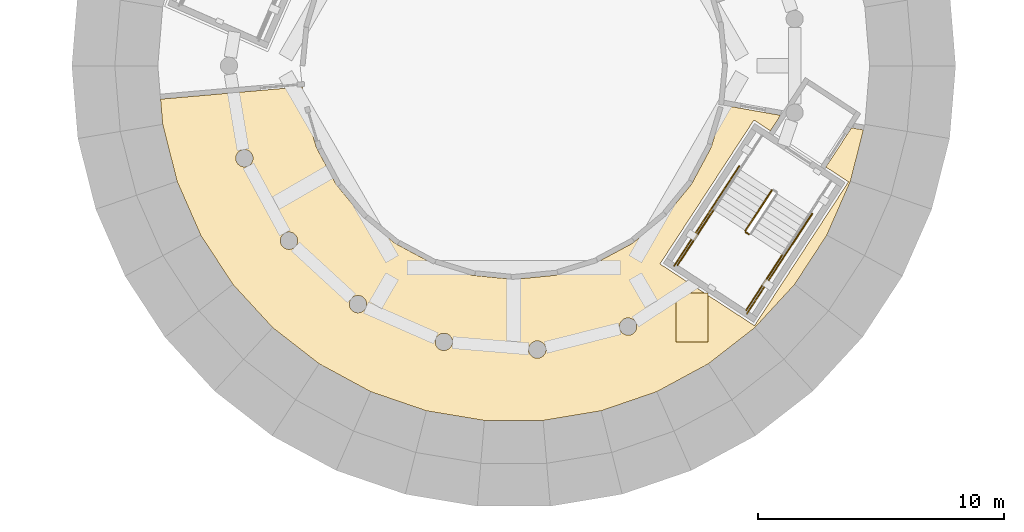
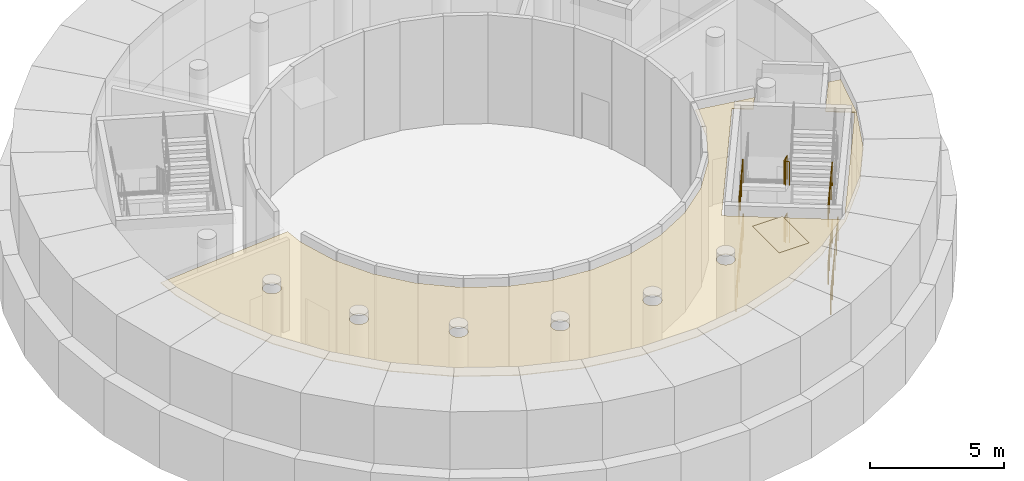
# One storey, part 118 of 125: 10 railings, 2 coverings.
"""IFC4 building model written with IfcOpenShell, lengths in metres."""

from ifc_helpers import new_model, si_unit, direction, frame, origin, origin_2d, place, context, subcontext, project, spatial, polyline, circle, outline, extrude, material, layer, layer_set, type_object, element, save


model = new_model("IFC4")

# Units and contexts
model_context = context("Model", 3, precision=1e-05, world=origin(), true_north=direction((0.0, 1.0)))
body_context = subcontext(model_context, "Body", "Model", "MODEL_VIEW")
ifc_project = project(units=[si_unit("LENGTHUNIT", "METRE"), si_unit("AREAUNIT", "SQUARE_METRE"), si_unit("VOLUMEUNIT", "CUBIC_METRE"), si_unit("PLANEANGLEUNIT", "RADIAN"), si_unit("MASSUNIT", "GRAM", prefix="KILO")], contexts=[model_context])

# Site, building, storey
site_placement = place(None, origin())
site = spatial("IfcSite", under=ifc_project, at=site_placement, CompositionType="ELEMENT")
building_placement = place(site_placement, origin())
building = spatial("IfcBuilding", under=site, at=building_placement, Name="Sun Court Science Centre", CompositionType="ELEMENT")
storey_placement = place(building_placement, frame((0.0, 0.0, 6.0)))
storey = spatial("IfcBuildingStorey", under=building, at=storey_placement, Name="L01", CompositionType="ELEMENT", Elevation=6.0)

# Coverings
ifc_material_1 = material(Name="Perforated steel", Category="steel")
ifc_layer_1 = layer(ifc_material_1, 0.030029296875)
ifc_layer_set_1 = layer_set([ifc_layer_1], Name="Perforated steel")
covering_type_1 = type_object("IfcCoveringType", Name="Ceiling acoustic perforated", PredefinedType="CEILING", material=ifc_layer_set_1)
covering_1_placement = place(storey_placement, frame((0.0, 0.0, 4.52001953125)))
element("IfcCovering", 1, at=covering_1_placement, inside=storey, type_object=covering_type_1, Name="L01-073 ceiling", PredefinedType="CEILING", context=body_context, shape_type="SweptSolid", body=[
    extrude(outline(polyline([(54.55908203125, 82.745361328125), (52.197265625, 82.351318359375), (49.802734375, 82.351318359375), (47.44091796875, 82.745361328125), (45.176025390625, 83.52294921875), (43.0703125, 84.66259765625), (41.1806640625, 86.13330078125), (39.558837890625, 87.89501953125), (38.2490234375, 89.899658203125), (37.287353515625, 92.09228515625), (36.699462890625, 94.413818359375), (36.6142578125, 95.44091796875), (42.383544921875, 95.94580078125), (42.466796875, 95.1025390625), (42.9619140625, 93.470458984375), (43.765869140625, 91.96630859375), (44.847900390625, 90.647705078125), (46.166259765625, 89.56591796875), (47.67041015625, 88.76171875), (49.302490234375, 88.2666015625), (51.0, 88.099609375), (52.697509765625, 88.2666015625), (54.32958984375, 88.76171875), (55.833740234375, 89.56591796875), (57.152099609375, 90.647705078125), (58.234130859375, 91.96630859375), (59.0380859375, 93.470458984375), (59.533203125, 95.1025390625), (59.5419921875, 95.192138671875), (61.865966796875, 94.782470703125), (61.453369140625, 94.151123046875), (60.78369140625, 94.5888671875), (56.955078125, 88.728515625), (58.757080078125, 87.55126953125), (57.606201171875, 87.55126953125), (57.606201171875, 85.55126953125), (58.906005859375, 85.55126953125), (58.906005859375, 87.453857421875), (60.805908203125, 86.212646484375), (64.634521484375, 92.07275390625), (63.7138671875, 92.674560546875), (64.7578125, 94.272705078125), (65.2431640625, 94.18701171875), (64.712646484375, 92.09228515625), (63.7509765625, 89.899658203125), (62.441162109375, 87.89501953125), (60.8193359375, 86.13330078125), (58.9296875, 84.66259765625), (56.823974609375, 83.52294921875), (54.55908203125, 82.745361328125)]), holes=[polyline([(56.009765625, 86.177001953125), (56.0087890625, 86.199951171875), (56.006591796875, 86.22265625), (56.0029296875, 86.245361328125), (55.997802734375, 86.267578125), (55.9912109375, 86.28955078125), (55.98291015625, 86.31103515625), (55.9736328125, 86.331787109375), (55.962890625, 86.35205078125), (55.95068359375, 86.37158203125), (55.937255859375, 86.39013671875), (55.9228515625, 86.40771484375), (55.9072265625, 86.424560546875), (55.890380859375, 86.440185546875), (55.872802734375, 86.45458984375), (55.85400390625, 86.468017578125), (55.834716796875, 86.47998046875), (55.814453125, 86.490966796875), (55.793701171875, 86.50048828125), (55.772216796875, 86.508544921875), (55.750244140625, 86.51513671875), (55.727783203125, 86.520263671875), (55.705322265625, 86.52392578125), (55.6826171875, 86.5263671875), (55.65966796875, 86.527099609375), (55.63671875, 86.5263671875), (55.614013671875, 86.52392578125), (55.59130859375, 86.520263671875), (55.569091796875, 86.51513671875), (55.547119140625, 86.508544921875), (55.525634765625, 86.50048828125), (55.5048828125, 86.490966796875), (55.484619140625, 86.47998046875), (55.465087890625, 86.468017578125), (55.446533203125, 86.45458984375), (55.428955078125, 86.440185546875), (55.412109375, 86.424560546875), (55.396484375, 86.40771484375), (55.382080078125, 86.39013671875), (55.36865234375, 86.37158203125), (55.356689453125, 86.35205078125), (55.345703125, 86.331787109375), (55.336181640625, 86.31103515625), (55.328125, 86.28955078125), (55.321533203125, 86.267578125), (55.31640625, 86.245361328125), (55.312744140625, 86.22265625), (55.310302734375, 86.199951171875), (55.309814453125, 86.177001953125), (55.310302734375, 86.154052734375), (55.312744140625, 86.13134765625), (55.31640625, 86.108642578125), (55.321533203125, 86.08642578125), (55.328125, 86.064453125), (55.336181640625, 86.043212890625), (55.345703125, 86.022216796875), (55.356689453125, 86.001953125), (55.36865234375, 85.982666015625), (55.382080078125, 85.964111328125), (55.396484375, 85.9462890625), (55.412109375, 85.929443359375), (55.428955078125, 85.913818359375), (55.446533203125, 85.8994140625), (55.465087890625, 85.885986328125), (55.484619140625, 85.873779296875), (55.5048828125, 85.863037109375), (55.525634765625, 85.853759765625), (55.547119140625, 85.845703125), (55.569091796875, 85.839111328125), (55.59130859375, 85.833740234375), (55.614013671875, 85.830078125), (55.63671875, 85.827880859375), (55.65966796875, 85.826904296875), (55.6826171875, 85.827880859375), (55.705322265625, 85.830078125), (55.727783203125, 85.833740234375), (55.750244140625, 85.839111328125), (55.772216796875, 85.845703125), (55.793701171875, 85.853759765625), (55.814453125, 85.863037109375), (55.834716796875, 85.873779296875), (55.85400390625, 85.885986328125), (55.872802734375, 85.8994140625), (55.890380859375, 85.913818359375), (55.9072265625, 85.929443359375), (55.9228515625, 85.9462890625), (55.937255859375, 85.964111328125), (55.95068359375, 85.982666015625), (55.962890625, 86.001953125), (55.9736328125, 86.022216796875), (55.98291015625, 86.043212890625), (55.9912109375, 86.064453125), (55.997802734375, 86.08642578125), (56.0029296875, 86.108642578125), (56.006591796875, 86.13134765625), (56.0087890625, 86.154052734375), (56.009765625, 86.177001953125)]), polyline([(52.307861328125, 85.239501953125), (52.30712890625, 85.262451171875), (52.304931640625, 85.285400390625), (52.30126953125, 85.307861328125), (52.2958984375, 85.330078125), (52.289306640625, 85.35205078125), (52.28125, 85.37353515625), (52.271728515625, 85.394287109375), (52.260986328125, 85.41455078125), (52.248779296875, 85.43408203125), (52.235595703125, 85.45263671875), (52.22119140625, 85.470458984375), (52.205322265625, 85.487060546875), (52.188720703125, 85.502685546875), (52.1708984375, 85.517333984375), (52.15234375, 85.530517578125), (52.1328125, 85.542724609375), (52.11279296875, 85.553466796875), (52.091796875, 85.56298828125), (52.0703125, 85.571044921875), (52.048583984375, 85.57763671875), (52.026123046875, 85.5830078125), (52.003662109375, 85.586669921875), (51.980712890625, 85.5888671875), (51.9580078125, 85.589599609375), (51.93505859375, 85.5888671875), (51.912109375, 85.586669921875), (51.8896484375, 85.5830078125), (51.8671875, 85.57763671875), (51.845458984375, 85.571044921875), (51.823974609375, 85.56298828125), (51.802978515625, 85.553466796875), (51.782958984375, 85.542724609375), (51.763427734375, 85.530517578125), (51.744873046875, 85.517333984375), (51.72705078125, 85.502685546875), (51.71044921875, 85.487060546875), (51.69482421875, 85.470458984375), (51.68017578125, 85.45263671875), (51.6669921875, 85.43408203125), (51.65478515625, 85.41455078125), (51.64404296875, 85.394287109375), (51.634521484375, 85.37353515625), (51.62646484375, 85.35205078125), (51.619873046875, 85.330078125), (51.614501953125, 85.307861328125), (51.61083984375, 85.285400390625), (51.608642578125, 85.262451171875), (51.60791015625, 85.239501953125), (51.608642578125, 85.216796875), (51.61083984375, 85.19384765625), (51.614501953125, 85.17138671875), (51.619873046875, 85.14892578125), (51.62646484375, 85.127197265625), (51.634521484375, 85.105712890625), (51.64404296875, 85.084716796875), (51.65478515625, 85.064697265625), (51.6669921875, 85.045166015625), (51.68017578125, 85.026611328125), (51.69482421875, 85.0087890625), (51.71044921875, 84.9921875), (51.72705078125, 84.9765625), (51.744873046875, 84.9619140625), (51.763427734375, 84.948486328125), (51.782958984375, 84.9365234375), (51.802978515625, 84.92578125), (51.823974609375, 84.916259765625), (51.845458984375, 84.908203125), (51.8671875, 84.901611328125), (51.8896484375, 84.896240234375), (51.912109375, 84.892578125), (51.93505859375, 84.890380859375), (51.9580078125, 84.8896484375), (51.980712890625, 84.890380859375), (52.003662109375, 84.892578125), (52.026123046875, 84.896240234375), (52.048583984375, 84.901611328125), (52.0703125, 84.908203125), (52.091796875, 84.916259765625), (52.11279296875, 84.92578125), (52.1328125, 84.9365234375), (52.15234375, 84.948486328125), (52.1708984375, 84.9619140625), (52.188720703125, 84.9765625), (52.205322265625, 84.9921875), (52.22119140625, 85.0087890625), (52.235595703125, 85.026611328125), (52.248779296875, 85.045166015625), (52.260986328125, 85.064697265625), (52.271728515625, 85.084716796875), (52.28125, 85.105712890625), (52.289306640625, 85.127197265625), (52.2958984375, 85.14892578125), (52.30126953125, 85.17138671875), (52.304931640625, 85.19384765625), (52.30712890625, 85.216796875), (52.307861328125, 85.239501953125)]), polyline([(48.49951171875, 85.50927734375), (48.501708984375, 85.531982421875), (48.50244140625, 85.554931640625), (48.501708984375, 85.577880859375), (48.49951171875, 85.6005859375), (48.49560546875, 85.623291015625), (48.490478515625, 85.6455078125), (48.48388671875, 85.66748046875), (48.4755859375, 85.68896484375), (48.46630859375, 85.709716796875), (48.45556640625, 85.72998046875), (48.443359375, 85.74951171875), (48.429931640625, 85.76806640625), (48.41552734375, 85.78564453125), (48.39990234375, 85.802490234375), (48.383056640625, 85.818115234375), (48.365478515625, 85.83251953125), (48.3466796875, 85.845947265625), (48.327392578125, 85.858154296875), (48.30712890625, 85.868896484375), (48.286376953125, 85.87841796875), (48.264892578125, 85.886474609375), (48.242919921875, 85.89306640625), (48.220703125, 85.898193359375), (48.197998046875, 85.902099609375), (48.17529296875, 85.904296875), (48.15234375, 85.905029296875), (48.12939453125, 85.904296875), (48.106689453125, 85.902099609375), (48.083984375, 85.898193359375), (48.061767578125, 85.89306640625), (48.039794921875, 85.886474609375), (48.018310546875, 85.87841796875), (47.99755859375, 85.868896484375), (47.977294921875, 85.858154296875), (47.9580078125, 85.845947265625), (47.939208984375, 85.83251953125), (47.921630859375, 85.818115234375), (47.90478515625, 85.802490234375), (47.88916015625, 85.78564453125), (47.874755859375, 85.76806640625), (47.861328125, 85.74951171875), (47.849365234375, 85.72998046875), (47.83837890625, 85.709716796875), (47.8291015625, 85.68896484375), (47.82080078125, 85.66748046875), (47.814208984375, 85.6455078125), (47.80908203125, 85.623291015625), (47.805419921875, 85.6005859375), (47.802978515625, 85.577880859375), (47.802490234375, 85.554931640625), (47.802978515625, 85.531982421875), (47.805419921875, 85.50927734375), (47.80908203125, 85.48681640625), (47.814208984375, 85.46435546875), (47.82080078125, 85.4423828125), (47.8291015625, 85.4208984375), (47.83837890625, 85.400146484375), (47.849365234375, 85.3798828125), (47.861328125, 85.360595703125), (47.874755859375, 85.341796875), (47.88916015625, 85.32421875), (47.90478515625, 85.3076171875), (47.921630859375, 85.291748046875), (47.939208984375, 85.27734375), (47.9580078125, 85.263916015625), (47.977294921875, 85.251708984375), (47.99755859375, 85.2412109375), (48.018310546875, 85.231689453125), (48.039794921875, 85.223388671875), (48.061767578125, 85.216796875), (48.083984375, 85.211669921875), (48.106689453125, 85.2080078125), (48.12939453125, 85.205810546875), (48.15234375, 85.205078125), (48.17529296875, 85.205810546875), (48.197998046875, 85.2080078125), (48.220703125, 85.211669921875), (48.242919921875, 85.216796875), (48.264892578125, 85.223388671875), (48.286376953125, 85.231689453125), (48.30712890625, 85.2412109375), (48.327392578125, 85.251708984375), (48.3466796875, 85.263916015625), (48.365478515625, 85.27734375), (48.383056640625, 85.291748046875), (48.39990234375, 85.3076171875), (48.41552734375, 85.32421875), (48.429931640625, 85.341796875), (48.443359375, 85.360595703125), (48.45556640625, 85.3798828125), (48.46630859375, 85.400146484375), (48.4755859375, 85.4208984375), (48.48388671875, 85.4423828125), (48.490478515625, 85.46435546875), (48.49560546875, 85.48681640625), (48.49951171875, 85.50927734375)]), polyline([(45.00244140625, 87.043212890625), (45.004638671875, 87.06591796875), (45.00537109375, 87.0888671875), (45.004638671875, 87.11181640625), (45.00244140625, 87.134521484375), (44.998779296875, 87.1572265625), (44.993408203125, 87.179443359375), (44.98681640625, 87.201416015625), (44.978759765625, 87.222900390625), (44.96923828125, 87.24365234375), (44.95849609375, 87.263916015625), (44.9462890625, 87.283203125), (44.93310546875, 87.302001953125), (44.91845703125, 87.319580078125), (44.90283203125, 87.33642578125), (44.88623046875, 87.35205078125), (44.868408203125, 87.366455078125), (44.849853515625, 87.3798828125), (44.830322265625, 87.39208984375), (44.810302734375, 87.40283203125), (44.789306640625, 87.412109375), (44.767822265625, 87.42041015625), (44.74609375, 87.427001953125), (44.7236328125, 87.43212890625), (44.701171875, 87.435791015625), (44.67822265625, 87.43798828125), (44.655517578125, 87.43896484375), (44.632568359375, 87.43798828125), (44.609619140625, 87.435791015625), (44.587158203125, 87.43212890625), (44.564697265625, 87.427001953125), (44.54296875, 87.42041015625), (44.521484375, 87.412109375), (44.50048828125, 87.40283203125), (44.48046875, 87.39208984375), (44.4609375, 87.3798828125), (44.4423828125, 87.366455078125), (44.424560546875, 87.35205078125), (44.407958984375, 87.33642578125), (44.392333984375, 87.319580078125), (44.377685546875, 87.302001953125), (44.364501953125, 87.283203125), (44.352294921875, 87.263916015625), (44.341552734375, 87.24365234375), (44.33203125, 87.222900390625), (44.323974609375, 87.201416015625), (44.3173828125, 87.179443359375), (44.31201171875, 87.1572265625), (44.308349609375, 87.134521484375), (44.30615234375, 87.11181640625), (44.305419921875, 87.0888671875), (44.30615234375, 87.06591796875), (44.308349609375, 87.043212890625), (44.31201171875, 87.0205078125), (44.3173828125, 86.998291015625), (44.323974609375, 86.976318359375), (44.33203125, 86.954833984375), (44.341552734375, 86.93408203125), (44.352294921875, 86.913818359375), (44.364501953125, 86.894287109375), (44.377685546875, 86.875732421875), (44.392333984375, 86.858154296875), (44.407958984375, 86.84130859375), (44.424560546875, 86.82568359375), (44.4423828125, 86.811279296875), (44.4609375, 86.7978515625), (44.48046875, 86.785888671875), (44.50048828125, 86.77490234375), (44.521484375, 86.765380859375), (44.54296875, 86.75732421875), (44.564697265625, 86.750732421875), (44.587158203125, 86.74560546875), (44.609619140625, 86.741943359375), (44.632568359375, 86.739501953125), (44.655517578125, 86.739013671875), (44.67822265625, 86.739501953125), (44.701171875, 86.741943359375), (44.7236328125, 86.74560546875), (44.74609375, 86.750732421875), (44.767822265625, 86.75732421875), (44.789306640625, 86.765380859375), (44.810302734375, 86.77490234375), (44.830322265625, 86.785888671875), (44.849853515625, 86.7978515625), (44.868408203125, 86.811279296875), (44.88623046875, 86.82568359375), (44.90283203125, 86.84130859375), (44.91845703125, 86.858154296875), (44.93310546875, 86.875732421875), (44.9462890625, 86.894287109375), (44.95849609375, 86.913818359375), (44.96923828125, 86.93408203125), (44.978759765625, 86.954833984375), (44.98681640625, 86.976318359375), (44.993408203125, 86.998291015625), (44.998779296875, 87.0205078125), (45.00244140625, 87.043212890625)]), polyline([(42.189208984375, 89.60693359375), (42.193115234375, 89.62939453125), (42.1953125, 89.652099609375), (42.196044921875, 89.675048828125), (42.1953125, 89.697998046875), (42.193115234375, 89.720703125), (42.189208984375, 89.743408203125), (42.18408203125, 89.765625), (42.177490234375, 89.78759765625), (42.169189453125, 89.80908203125), (42.159912109375, 89.829833984375), (42.149169921875, 89.85009765625), (42.136962890625, 89.86962890625), (42.12353515625, 89.88818359375), (42.109130859375, 89.906005859375), (42.093505859375, 89.922607421875), (42.07666015625, 89.938232421875), (42.05908203125, 89.952880859375), (42.040283203125, 89.966064453125), (42.02099609375, 89.978271484375), (42.000732421875, 89.989013671875), (41.97998046875, 89.99853515625), (41.95849609375, 90.006591796875), (41.9365234375, 90.01318359375), (41.914306640625, 90.018310546875), (41.8916015625, 90.022216796875), (41.868896484375, 90.0244140625), (41.845947265625, 90.025146484375), (41.822998046875, 90.0244140625), (41.80029296875, 90.022216796875), (41.777587890625, 90.018310546875), (41.75537109375, 90.01318359375), (41.7333984375, 90.006591796875), (41.7119140625, 89.99853515625), (41.691162109375, 89.989013671875), (41.6708984375, 89.978271484375), (41.651611328125, 89.966064453125), (41.6328125, 89.952880859375), (41.615234375, 89.938232421875), (41.598388671875, 89.922607421875), (41.582763671875, 89.906005859375), (41.568359375, 89.88818359375), (41.554931640625, 89.86962890625), (41.54296875, 89.85009765625), (41.531982421875, 89.829833984375), (41.522705078125, 89.80908203125), (41.514404296875, 89.78759765625), (41.5078125, 89.765625), (41.502685546875, 89.743408203125), (41.4990234375, 89.720703125), (41.49658203125, 89.697998046875), (41.49609375, 89.675048828125), (41.49658203125, 89.652099609375), (41.4990234375, 89.62939453125), (41.502685546875, 89.60693359375), (41.5078125, 89.58447265625), (41.514404296875, 89.5625), (41.522705078125, 89.541259765625), (41.531982421875, 89.520263671875), (41.54296875, 89.5), (41.554931640625, 89.480712890625), (41.568359375, 89.462158203125), (41.582763671875, 89.4443359375), (41.598388671875, 89.427490234375), (41.615234375, 89.412109375), (41.6328125, 89.3974609375), (41.651611328125, 89.384033203125), (41.6708984375, 89.3720703125), (41.691162109375, 89.361083984375), (41.7119140625, 89.351806640625), (41.7333984375, 89.34375), (41.75537109375, 89.337158203125), (41.777587890625, 89.331787109375), (41.80029296875, 89.328125), (41.822998046875, 89.325927734375), (41.845947265625, 89.3251953125), (41.868896484375, 89.325927734375), (41.8916015625, 89.328125), (41.914306640625, 89.331787109375), (41.9365234375, 89.337158203125), (41.95849609375, 89.34375), (41.97998046875, 89.351806640625), (42.000732421875, 89.361083984375), (42.02099609375, 89.3720703125), (42.040283203125, 89.384033203125), (42.05908203125, 89.3974609375), (42.07666015625, 89.412109375), (42.093505859375, 89.427490234375), (42.109130859375, 89.4443359375), (42.12353515625, 89.462158203125), (42.136962890625, 89.480712890625), (42.149169921875, 89.5), (42.159912109375, 89.520263671875), (42.169189453125, 89.541259765625), (42.177490234375, 89.5625), (42.18408203125, 89.58447265625), (42.189208984375, 89.60693359375)]), polyline([(40.36669921875, 92.94287109375), (40.371826171875, 92.965087890625), (40.37548828125, 92.98779296875), (40.377685546875, 93.010498046875), (40.37841796875, 93.033447265625), (40.377685546875, 93.056396484375), (40.37548828125, 93.0791015625), (40.371826171875, 93.101806640625), (40.36669921875, 93.1240234375), (40.35986328125, 93.14599609375), (40.351806640625, 93.16748046875), (40.34228515625, 93.188232421875), (40.33154296875, 93.20849609375), (40.319580078125, 93.227783203125), (40.30615234375, 93.24658203125), (40.291748046875, 93.264404296875), (40.27587890625, 93.281005859375), (40.25927734375, 93.296630859375), (40.24169921875, 93.311279296875), (40.222900390625, 93.324462890625), (40.20361328125, 93.336669921875), (40.183349609375, 93.347412109375), (40.16259765625, 93.356689453125), (40.14111328125, 93.364990234375), (40.119140625, 93.37158203125), (40.0966796875, 93.376708984375), (40.07421875, 93.380615234375), (40.051513671875, 93.3828125), (40.028564453125, 93.383544921875), (40.005615234375, 93.3828125), (39.98291015625, 93.380615234375), (39.960205078125, 93.376708984375), (39.93798828125, 93.37158203125), (39.916015625, 93.364990234375), (39.89453125, 93.356689453125), (39.873779296875, 93.347412109375), (39.853515625, 93.336669921875), (39.833984375, 93.324462890625), (39.8154296875, 93.311279296875), (39.797607421875, 93.296630859375), (39.781005859375, 93.281005859375), (39.765380859375, 93.264404296875), (39.750732421875, 93.24658203125), (39.737548828125, 93.227783203125), (39.725341796875, 93.20849609375), (39.714599609375, 93.188232421875), (39.705078125, 93.16748046875), (39.697021484375, 93.14599609375), (39.6904296875, 93.1240234375), (39.685302734375, 93.101806640625), (39.681396484375, 93.0791015625), (39.67919921875, 93.056396484375), (39.678466796875, 93.033447265625), (39.67919921875, 93.010498046875), (39.681396484375, 92.98779296875), (39.685302734375, 92.965087890625), (39.6904296875, 92.94287109375), (39.697021484375, 92.9208984375), (39.705078125, 92.8994140625), (39.714599609375, 92.878662109375), (39.725341796875, 92.8583984375), (39.737548828125, 92.839111328125), (39.750732421875, 92.8203125), (39.765380859375, 92.802734375), (39.781005859375, 92.785888671875), (39.797607421875, 92.770263671875), (39.8154296875, 92.755859375), (39.833984375, 92.742431640625), (39.853515625, 92.73046875), (39.873779296875, 92.719482421875), (39.89453125, 92.710205078125), (39.916015625, 92.7021484375), (39.93798828125, 92.6953125), (39.960205078125, 92.690185546875), (39.98291015625, 92.6865234375), (40.005615234375, 92.68408203125), (40.028564453125, 92.68359375), (40.051513671875, 92.68408203125), (40.07421875, 92.6865234375), (40.0966796875, 92.690185546875), (40.119140625, 92.6953125), (40.14111328125, 92.7021484375), (40.16259765625, 92.710205078125), (40.183349609375, 92.719482421875), (40.20361328125, 92.73046875), (40.222900390625, 92.742431640625), (40.24169921875, 92.755859375), (40.25927734375, 92.770263671875), (40.27587890625, 92.785888671875), (40.291748046875, 92.802734375), (40.30615234375, 92.8203125), (40.319580078125, 92.839111328125), (40.33154296875, 92.8583984375), (40.34228515625, 92.878662109375), (40.351806640625, 92.8994140625), (40.35986328125, 92.9208984375), (40.36669921875, 92.94287109375)])]), origin(), (0.0, 0.0, 1.0), 0.030029296875),
])
ifc_material_2 = material(Name="Gypsum board")
ifc_layer_2 = layer(ifc_material_2, 0.030029296875)
ifc_layer_set_2 = layer_set([ifc_layer_2], Name="Gypsum board")
covering_type_2 = type_object("IfcCoveringType", Name="Ceiling suspended 600 module", PredefinedType="CEILING", material=ifc_layer_set_2)
covering_2_placement = place(storey_placement, frame((0.0, 0.0, 4.52001953125)))
element("IfcCovering", 2, at=covering_2_placement, inside=storey, type_object=covering_type_2, Name="L01-080 ceiling", PredefinedType="CEILING", context=body_context, shape_type="SweptSolid", body=[
    extrude(outline(polyline([(58.906005859375, 87.55126953125), (58.906005859375, 85.55126953125), (57.606201171875, 85.55126953125), (57.606201171875, 87.55126953125), (58.906005859375, 87.55126953125)])), origin(), (0.0, 0.0, 1.0), 0.030029296875),
])

# Railings
ifc_material_3 = material(Name="Steel S275", Category="steel")
railing_type = type_object("IfcRailingType", Name="Guard 1100 steel balustrade", PredefinedType="GUARDRAIL", material=ifc_material_3)
railing_1_placement = place(storey_placement, frame((61.51171875, 91.7265625, 0.1640625)))
element("IfcRailing", 3, at=railing_1_placement, inside=storey, type_object=railing_type, Name="L01 PS1 stair guard 1", PredefinedType="GUARDRAIL", context=body_context, shape_type="SweptSolid", body=[
    extrude(circle(Radius=0.02392578125, at=origin_2d()), frame((0.0, 0.0, 1.076171875), z_axis=(-0.471904152207, -0.72231104691, 0.505542503298), x_axis=(0.837169241842, -0.546943928125, 0.0)), (0.0, 0.0, 1.0), 2.271728515625),
    extrude(circle(Radius=0.02099609375, at=origin_2d()), origin(), (0.0, 0.0, 1.0), 1.052001953125),
    extrude(circle(Radius=0.02099609375, at=origin_2d()), frame((-0.5361328125, -0.8203125, 0.57421875)), (0.0, 0.0, 1.0), 1.052001953125),
    extrude(circle(Radius=0.02099609375, at=origin_2d()), frame((-1.072021484375, -1.640869140625, 1.1484375)), (0.0, 0.0, 1.0), 1.052001953125),
])
railing_2_placement = place(storey_placement, frame((60.4541015625, 90.016357421875, 1.3125)))
element("IfcRailing", 4, at=railing_2_placement, inside=storey, type_object=railing_type, Name="L01 PS1 stair guard 2", PredefinedType="GUARDRAIL", context=body_context, shape_type="SweptSolid", body=[
    extrude(circle(Radius=0.02392578125, at=origin_2d()), frame((0.0, 0.0, 1.076171875), z_axis=(0.837513526863, -0.546416592283, 0.0), x_axis=(0.546416592283, 0.837513526863, 0.0)), (0.0, 0.0, 1.0), 0.150146484375),
    extrude(circle(Radius=0.02099609375, at=origin_2d()), origin(), (0.0, 0.0, 1.0), 1.052001953125),
    extrude(circle(Radius=0.02099609375, at=origin_2d()), frame((0.125732421875, -0.08203125, 0.0)), (0.0, 0.0, 1.0), 1.052001953125),
])
railing_3_placement = place(storey_placement, frame((59.143798828125, 90.932373046875, 1.3125)))
element("IfcRailing", 5, at=railing_3_placement, inside=storey, type_object=railing_type, Name="L01 PS1 stair guard 3", PredefinedType="GUARDRAIL", context=body_context, shape_type="SweptSolid", body=[
    extrude(circle(Radius=0.02392578125, at=origin_2d()), frame((0.0, 0.0, 1.076171875), z_axis=(-0.546953668808, -0.837162877926, 0.0), x_axis=(0.837162877926, -0.546953668808, 0.0)), (0.0, 0.0, 1.0), 2.692138671875),
    extrude(circle(Radius=0.02099609375, at=origin_2d()), origin(), (0.0, 0.0, 1.0), 1.052001953125),
    extrude(circle(Radius=0.02099609375, at=origin_2d()), frame((-0.49072265625, -0.751220703125, 0.0)), (0.0, 0.0, 1.0), 1.052001953125),
    extrude(circle(Radius=0.02099609375, at=origin_2d()), frame((-0.981689453125, -1.50244140625, 0.0)), (0.0, 0.0, 1.0), 1.052001953125),
    extrude(circle(Radius=0.02099609375, at=origin_2d()), frame((-1.472412109375, -2.253662109375, 0.0)), (0.0, 0.0, 1.0), 1.052001953125),
])
railing_4_placement = place(storey_placement, frame((61.94482421875, 89.102294921875, 1.3125)))
element("IfcRailing", 6, at=railing_4_placement, inside=storey, type_object=railing_type, Name="L01 PS1 stair guard 4", PredefinedType="GUARDRAIL", context=body_context, shape_type="SweptSolid", body=[
    extrude(circle(Radius=0.02392578125, at=origin_2d()), frame((0.0, 0.0, 1.076171875), z_axis=(-0.546890104482, -0.837204403727, 0.0), x_axis=(0.837204403727, -0.546890104482, 0.0)), (0.0, 0.0, 1.0), 2.69189453125),
    extrude(circle(Radius=0.02099609375, at=origin_2d()), origin(), (0.0, 0.0, 1.0), 1.052001953125),
    extrude(circle(Radius=0.02099609375, at=origin_2d()), frame((-0.49072265625, -0.751220703125, 0.0)), (0.0, 0.0, 1.0), 1.052001953125),
    extrude(circle(Radius=0.02099609375, at=origin_2d()), frame((-0.9814453125, -1.50244140625, 0.0)), (0.0, 0.0, 1.0), 1.052001953125),
    extrude(circle(Radius=0.02099609375, at=origin_2d()), frame((-1.47216796875, -2.253662109375, 0.0)), (0.0, 0.0, 1.0), 1.052001953125),
])
railing_5_placement = place(storey_placement, frame((61.51171875, 91.7265625, 2.7890625)))
element("IfcRailing", 7, at=railing_5_placement, inside=storey, type_object=railing_type, Name="L01 PS1 stair guard 9", PredefinedType="GUARDRAIL", context=body_context, shape_type="SweptSolid", body=[
    extrude(circle(Radius=0.02392578125, at=origin_2d()), frame((0.0, 0.0, 1.076171875), z_axis=(-0.471904152207, -0.72231104691, 0.505542503298), x_axis=(0.837169241842, -0.546943928125, 0.0)), (0.0, 0.0, 1.0), 2.271728515625),
    extrude(circle(Radius=0.02099609375, at=origin_2d()), origin(), (0.0, 0.0, 1.0), 1.052001953125),
    extrude(circle(Radius=0.02099609375, at=origin_2d()), frame((-0.5361328125, -0.8203125, 0.57421875)), (0.0, 0.0, 1.0), 1.052001953125),
    extrude(circle(Radius=0.02099609375, at=origin_2d()), frame((-1.072021484375, -1.640869140625, 1.1484375)), (0.0, 0.0, 1.0), 1.052001953125),
])
railing_6_placement = place(storey_placement, frame((60.4541015625, 90.016357421875, 3.9375)))
element("IfcRailing", 8, at=railing_6_placement, inside=storey, type_object=railing_type, Name="L01 PS1 stair guard 10", PredefinedType="GUARDRAIL", context=body_context, shape_type="SweptSolid", body=[
    extrude(circle(Radius=0.02392578125, at=origin_2d()), frame((0.0, 0.0, 1.076171875), z_axis=(0.837513526863, -0.546416592283, 0.0), x_axis=(0.546416592283, 0.837513526863, 0.0)), (0.0, 0.0, 1.0), 0.150146484375),
    extrude(circle(Radius=0.02099609375, at=origin_2d()), origin(), (0.0, 0.0, 1.0), 1.052001953125),
    extrude(circle(Radius=0.02099609375, at=origin_2d()), frame((0.125732421875, -0.08203125, 0.0)), (0.0, 0.0, 1.0), 1.052001953125),
])
railing_7_placement = place(storey_placement, frame((59.143798828125, 90.932373046875, 3.9375)))
element("IfcRailing", 9, at=railing_7_placement, inside=storey, type_object=railing_type, Name="L01 PS1 stair guard 11", PredefinedType="GUARDRAIL", context=body_context, shape_type="SweptSolid", body=[
    extrude(circle(Radius=0.02392578125, at=origin_2d()), frame((0.0, 0.0, 1.076171875), z_axis=(-0.546953668808, -0.837162877926, 0.0), x_axis=(0.837162877926, -0.546953668808, 0.0)), (0.0, 0.0, 1.0), 2.692138671875),
    extrude(circle(Radius=0.02099609375, at=origin_2d()), origin(), (0.0, 0.0, 1.0), 1.052001953125),
    extrude(circle(Radius=0.02099609375, at=origin_2d()), frame((-0.49072265625, -0.751220703125, 0.0)), (0.0, 0.0, 1.0), 1.052001953125),
    extrude(circle(Radius=0.02099609375, at=origin_2d()), frame((-0.981689453125, -1.50244140625, 0.0)), (0.0, 0.0, 1.0), 1.052001953125),
    extrude(circle(Radius=0.02099609375, at=origin_2d()), frame((-1.472412109375, -2.253662109375, 0.0)), (0.0, 0.0, 1.0), 1.052001953125),
])
railing_8_placement = place(storey_placement, frame((61.94482421875, 89.102294921875, 3.9375)))
element("IfcRailing", 10, at=railing_8_placement, inside=storey, type_object=railing_type, Name="L01 PS1 stair guard 12", PredefinedType="GUARDRAIL", context=body_context, shape_type="SweptSolid", body=[
    extrude(circle(Radius=0.02392578125, at=origin_2d()), frame((0.0, 0.0, 1.076171875), z_axis=(-0.546890104482, -0.837204403727, 0.0), x_axis=(0.837204403727, -0.546890104482, 0.0)), (0.0, 0.0, 1.0), 2.69189453125),
    extrude(circle(Radius=0.02099609375, at=origin_2d()), origin(), (0.0, 0.0, 1.0), 1.052001953125),
    extrude(circle(Radius=0.02099609375, at=origin_2d()), frame((-0.49072265625, -0.751220703125, 0.0)), (0.0, 0.0, 1.0), 1.052001953125),
    extrude(circle(Radius=0.02099609375, at=origin_2d()), frame((-0.9814453125, -1.50244140625, 0.0)), (0.0, 0.0, 1.0), 1.052001953125),
    extrude(circle(Radius=0.02099609375, at=origin_2d()), frame((-1.47216796875, -2.253662109375, 0.0)), (0.0, 0.0, 1.0), 1.052001953125),
])
for number, where, name in (
    (11, (60.186767578125, 92.711669921875, 0.0), "L01 PS1 stair guard 17"),
    (12, (63.1552734375, 90.772216796875, 0.0), "L01 PS1 stair guard 18"),
):
    element("IfcRailing", number, at=place(storey_placement, frame(where)), inside=storey, type_object=railing_type, Name=name, PredefinedType="GUARDRAIL", context=body_context, shape_type="SweptSolid", body=[
        extrude(circle(Radius=0.02392578125, at=origin_2d()), frame((0.0, 0.0, 1.076171875), z_axis=(-0.546942941702, -0.837169886297, 0.0), x_axis=(0.837169886297, -0.546942941702, 0.0)), (0.0, 0.0, 1.0), 4.85205078125),
        extrude(circle(Radius=0.02099609375, at=origin_2d()), origin(), (0.0, 0.0, 1.0), 1.052001953125),
        extrude(circle(Radius=0.02099609375, at=origin_2d()), frame((-0.53076171875, -0.8125, 0.0)), (0.0, 0.0, 1.0), 1.052001953125),
        extrude(circle(Radius=0.02099609375, at=origin_2d()), frame((-1.0615234375, -1.624755859375, 0.0)), (0.0, 0.0, 1.0), 1.052001953125),
        extrude(circle(Radius=0.02099609375, at=origin_2d()), frame((-1.59228515625, -2.437255859375, 0.0)), (0.0, 0.0, 1.0), 1.052001953125),
        extrude(circle(Radius=0.02099609375, at=origin_2d()), frame((-2.123046875, -3.24951171875, 0.0)), (0.0, 0.0, 1.0), 1.052001953125),
        extrude(circle(Radius=0.02099609375, at=origin_2d()), frame((-2.65380859375, -4.06201171875, 0.0)), (0.0, 0.0, 1.0), 1.052001953125),
    ])

save(model, "model.ifc")
